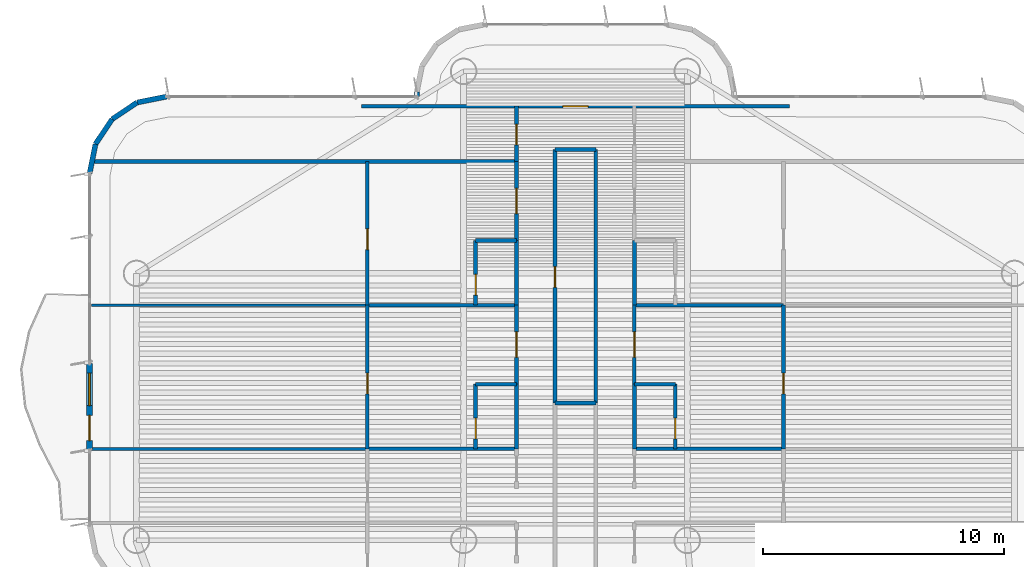
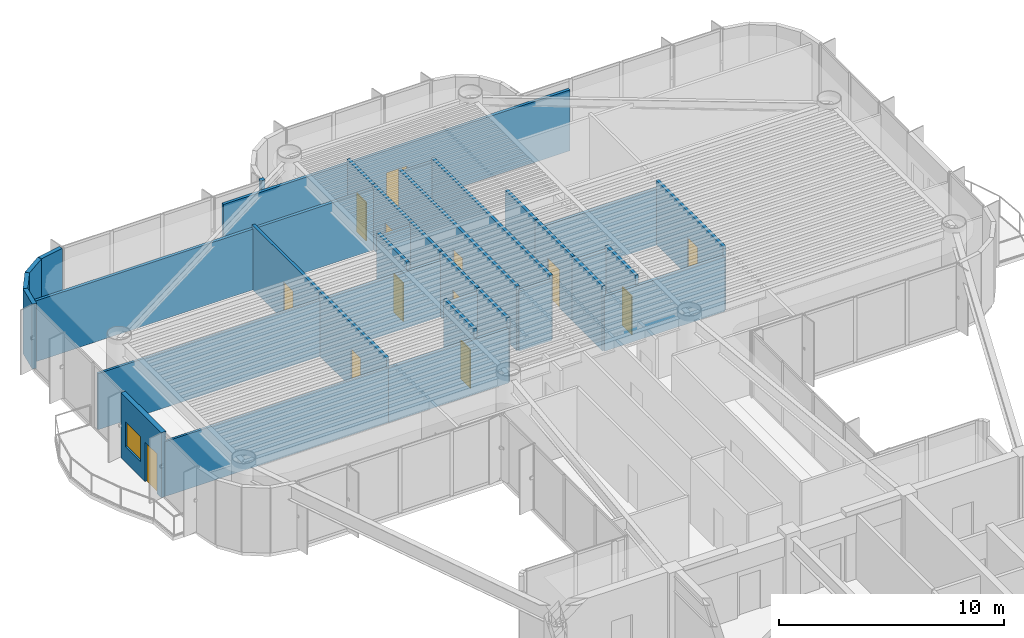
# One storey, part 11 of 15: 35 walls, 13 doors, 1 window, 14 openings.
"""IFC4 building model written with IfcOpenShell, lengths in metres."""

import ifcopenshell
import ifcopenshell.guid

model = None  # the IFC model being written
_history = None  # IfcOwnerHistory: only IFC2X3 demands one
_inside = {}  # id of a spatial element -> (the spatial element, [elements in it])
_under = {}  # id of a project, library or spatial element -> (it, [spatial elements below it])
_declared = {}  # id of a project -> (the project, [libraries it declares])
_typed = {}  # id of a type object -> (the type object, [elements of that type])
_made_of = {}  # id of a material, layer set ... -> (it, [elements and type objects made of it])


def new_model(schema):
    """Start an empty IFC model of exactly this schema.

    Asked for "IFC4X3", IfcOpenShell would pick the latest addendum, in which some entities
    have other attributes; the version numbers below select the first issue.
    IFC2X3 requires an IfcOwnerHistory on every rooted entity: one is made here for all.
    """
    global model, _history
    if schema == "IFC4X3":
        model = ifcopenshell.file(schema_version=(4, 3, 0, 0))
    else:
        model = ifcopenshell.file(schema=schema)
    _inside.clear()
    _under.clear()
    _declared.clear()
    _typed.clear()
    _made_of.clear()
    _history = None
    if model.schema == "IFC2X3":
        org = make("IfcOrganization", Name="unknown")
        user = make(
            "IfcPersonAndOrganization",
            ThePerson=make("IfcPerson", FamilyName="unknown"),
            TheOrganization=org,
        )
        app = make(
            "IfcApplication",
            ApplicationDeveloper=org,
            Version="unknown",
            ApplicationFullName="unknown",
            ApplicationIdentifier="unknown",
        )
        _history = make(
            "IfcOwnerHistory",
            OwningUser=user,
            OwningApplication=app,
            ChangeAction="ADDED",
            CreationDate=0,
        )
    return model


def make(cls, **values):
    """One entity of the class cls with the attributes given. An attribute that is None is left unset."""
    return model.create_entity(
        cls, **{name: value for name, value in values.items() if value is not None}
    )


def rooted(cls, **values):
    """An entity with a GlobalId (a new one), such as an element, a storey or a relation."""
    return make(cls, GlobalId=ifcopenshell.guid.new(), OwnerHistory=_history, **values)


def si_unit(unit_type, name, prefix=None):
    """IfcSIUnit, for example si_unit("LENGTHUNIT", "METRE", prefix="MILLI")."""
    return make("IfcSIUnit", UnitType=unit_type, Prefix=prefix, Name=name)


def assignment(units):
    """IfcUnitAssignment: the units of a project."""
    return None if units is None else make("IfcUnitAssignment", Units=units)


def point(xyz):
    """IfcCartesianPoint."""
    return None if xyz is None else make("IfcCartesianPoint", Coordinates=xyz)


def direction(xyz):
    """IfcDirection."""
    return None if xyz is None else make("IfcDirection", DirectionRatios=xyz)


def frame(location, z_axis=None, x_axis=None):
    """IfcAxis2Placement3D, a coordinate frame: its origin and axes. An axis left out is left unset."""
    return make(
        "IfcAxis2Placement3D",
        Location=point(location),
        Axis=direction(z_axis),
        RefDirection=direction(x_axis),
    )


def frame_2d(location, x_axis=None):
    """IfcAxis2Placement2D, a coordinate frame in the plane: its origin and x axis."""
    return make(
        "IfcAxis2Placement2D", Location=point(location), RefDirection=direction(x_axis)
    )


def origin():
    """The frame at (0, 0, 0) with its axes left unset."""
    return frame((0.0, 0.0, 0.0))


def origin_2d():
    """The frame at (0, 0) in the plane with its x axis left unset."""
    return frame_2d((0.0, 0.0))


def place(relative_to, where):
    """IfcLocalPlacement: puts the frame where relative to a parent placement (None: the world)."""
    return make(
        "IfcLocalPlacement", PlacementRelTo=relative_to, RelativePlacement=where
    )


def context(
    kind, dimensions, precision=None, world=None, true_north=None, identifier=None
):
    """IfcGeometricRepresentationContext, for example the 3D "Model" context."""
    return make(
        "IfcGeometricRepresentationContext",
        ContextIdentifier=identifier,
        ContextType=kind,
        CoordinateSpaceDimension=dimensions,
        Precision=precision,
        WorldCoordinateSystem=world,
        TrueNorth=true_north,
    )


def subcontext(parent, identifier, kind, view, scale=None):
    """IfcGeometricRepresentationSubContext, for example "Body" below "Model"."""
    return make(
        "IfcGeometricRepresentationSubContext",
        ContextIdentifier=identifier,
        ContextType=kind,
        ParentContext=parent,
        TargetScale=scale,
        TargetView=view,
    )


def project(units=None, contexts=None):
    """IfcProject with its units and contexts."""
    return rooted(
        "IfcProject",
        Name="project",
        RepresentationContexts=contexts,
        UnitsInContext=assignment(units),
    )


def spatial(cls, under=None, at=None, **own):
    """A site, building, storey or space (cls), placed at a placement, below another one or the project."""
    s = rooted(cls, ObjectPlacement=at, **own)
    if under is not None:
        _under.setdefault(under.id(), (under, []))[1].append(s)
    return s


def profile(cls, at=None, kind="AREA", **sizes):
    """A parametric profile (cls). Its sizes go by their IFC names, for example OverallWidth=200.0."""
    return make(cls, ProfileType=kind, Position=at, **sizes)


def rectangle(**sizes):
    """IfcRectangleProfileDef."""
    return profile("IfcRectangleProfileDef", **sizes)


def extrude(swept, where, along, depth):
    """IfcExtrudedAreaSolid: the profile swept, set in the frame where, extruded along a direction by depth."""
    return make(
        "IfcExtrudedAreaSolid",
        SweptArea=swept,
        Position=where,
        ExtrudedDirection=direction(along),
        Depth=depth,
    )


def shape(context_of_items, identifier, shape_type, items):
    """IfcShapeRepresentation: the items that make up one representation, for example the "Body"."""
    return make(
        "IfcShapeRepresentation",
        ContextOfItems=context_of_items,
        RepresentationIdentifier=identifier,
        RepresentationType=shape_type,
        Items=items,
    )


def source(mapping_origin, context_of_items, identifier, shape_type, items):
    """IfcRepresentationMap: a shape defined once, which mapped items show again and again."""
    return make(
        "IfcRepresentationMap",
        MappingOrigin=mapping_origin,
        MappedRepresentation=shape(context_of_items, identifier, shape_type, items),
    )


def transform(
    local_origin,
    x_axis=None,
    y_axis=None,
    z_axis=None,
    scale=None,
    scale2=None,
    scale3=None,
    uniform=True,
):
    """IfcCartesianTransformationOperator3D, or its non-uniform kind. x_axis, y_axis, z_axis: its Axis1, 2, 3."""
    if uniform:
        return make(
            "IfcCartesianTransformationOperator3D",
            Axis1=direction(x_axis),
            Axis2=direction(y_axis),
            LocalOrigin=point(local_origin),
            Scale=scale,
            Axis3=direction(z_axis),
        )
    return make(
        "IfcCartesianTransformationOperator3DnonUniform",
        Axis1=direction(x_axis),
        Axis2=direction(y_axis),
        LocalOrigin=point(local_origin),
        Scale=scale,
        Axis3=direction(z_axis),
        Scale2=scale2,
        Scale3=scale3,
    )


def mapped(mapping_source, mapping_target):
    """IfcMappedItem: shows the shape of a source again, moved by a transform."""
    return make(
        "IfcMappedItem", MappingSource=mapping_source, MappingTarget=mapping_target
    )


def material(Name=None, Category=None):
    """IfcMaterial."""
    return make("IfcMaterial", Name=Name, Category=Category)


def layer(
    of_material, thickness, ventilated=None, Name=None, Category=None, Priority=None
):
    """IfcMaterialLayer: one layer of a wall or slab, of a material (None: an air gap)."""
    return make(
        "IfcMaterialLayer",
        Material=of_material,
        LayerThickness=thickness,
        IsVentilated=ventilated,
        Name=Name,
        Category=Category,
        Priority=Priority,
    )


def layer_set(layers, Name=None):
    """IfcMaterialLayerSet."""
    return make("IfcMaterialLayerSet", MaterialLayers=layers, LayerSetName=Name)


def made_of(thing, what):
    """Note that an element or type object is made of a material, layer set ...; save() writes the relation."""
    if what is not None:
        _made_of.setdefault(what.id(), (what, []))[1].append(thing)
    return thing


def type_object(cls, material=None, **own):
    """A type object (cls), such as IfcWallType, which elements share."""
    return made_of(rooted(cls, **own), material)


def element(
    cls,
    number,
    at=None,
    inside=None,
    cuts=None,
    type_object=None,
    material=None,
    context=None,
    identifier="Body",
    shape_type=None,
    held_by="IfcProductDefinitionShape",
    body=None,
    shapes=None,
    **own,
):
    """One element of the class cls, such as IfcWall. Its Tag is "e" and its number.

    at: its placement. inside: the storey or other place that contains it. cuts: it is an
    opening in that element (IfcRelVoidsElement). A single representation is given by context,
    identifier, shape_type and body (its items); several are given by shapes. held_by: the class
    of the entity that holds the representations. save() writes the other relations.
    """
    e = rooted(cls, Tag="e%d" % number, ObjectPlacement=at, **own)
    if body is not None:
        shapes = [shape(context, identifier, shape_type, body)]
    if shapes is not None:
        e.Representation = make(held_by, Representations=shapes)
    if inside is not None:
        _inside.setdefault(inside.id(), (inside, []))[1].append(e)
    if cuts is not None:
        rooted(
            "IfcRelVoidsElement", RelatingBuildingElement=cuts, RelatedOpeningElement=e
        )
    if type_object is not None:
        _typed.setdefault(type_object.id(), (type_object, []))[1].append(e)
    return made_of(e, material)


def fill(opening, filler):
    """IfcRelFillsElement: the door or window that sits in an opening."""
    return rooted(
        "IfcRelFillsElement",
        RelatingOpeningElement=opening,
        RelatedBuildingElement=filler,
    )


def aggregate(whole, parts):
    """IfcRelAggregates: a whole, such as a stair, and the parts it consists of."""
    return rooted("IfcRelAggregates", RelatingObject=whole, RelatedObjects=parts)


def save(model, path):
    """Write the relations noted so far, then the file.

    IfcRelAggregates (storeys below a building ...), IfcRelContainedInSpatialStructure (elements
    in a storey), IfcRelDefinesByType, IfcRelAssociatesMaterial and IfcRelDeclares: one each for
    every whole, place, type object, material and project.
    """
    for whole, parts in _under.values():
        aggregate(whole, parts)
    for where, things in _inside.values():
        rooted(
            "IfcRelContainedInSpatialStructure",
            RelatedElements=things,
            RelatingStructure=where,
        )
    for kind, things in _typed.values():
        rooted("IfcRelDefinesByType", RelatedObjects=things, RelatingType=kind)
    for what, things in _made_of.values():
        rooted("IfcRelAssociatesMaterial", RelatedObjects=things, RelatingMaterial=what)
    for by, libraries in _declared.values():
        rooted("IfcRelDeclares", RelatingContext=by, RelatedDefinitions=libraries)
    model.write(path)


model = new_model("IFC4")

# Units and contexts
model_context = context("Model", 3, precision=1e-05, world=origin(), true_north=direction((0.0, 1.0)))
body_context = subcontext(model_context, "Body", "Model", "MODEL_VIEW")
ifc_project = project(units=[si_unit("LENGTHUNIT", "METRE"), si_unit("AREAUNIT", "SQUARE_METRE"), si_unit("VOLUMEUNIT", "CUBIC_METRE"), si_unit("PLANEANGLEUNIT", "RADIAN"), si_unit("MASSUNIT", "GRAM", prefix="KILO")], contexts=[model_context])

# Site, building, storey
site_placement = place(None, origin())
site = spatial("IfcSite", under=ifc_project, at=site_placement, CompositionType="ELEMENT")
building_placement = place(site_placement, origin())
building = spatial("IfcBuilding", under=site, at=building_placement, Name="Brelvock Crest Care Tower", CompositionType="ELEMENT")
storey_placement = place(building_placement, frame((0.0, 0.0, 171.5400390625)))
storey = spatial("IfcBuildingStorey", under=building, at=storey_placement, Name="L43", CompositionType="ELEMENT", Elevation=171.5400390625)

# Wall, openings, door, window
ifc_material_1 = material(Name="Precast concrete N40 (40 MPa)", Category="concrete")
ifc_layer_1 = layer(ifc_material_1, 0.239990234375, Name="WL-EX1")
ifc_layer_set_1 = layer_set([ifc_layer_1], Name="Precast concrete N40 (40 MPa)")
wall_type_1 = type_object("IfcWallType", Name="WL-EX1", PredefinedType="SOLIDWALL", material=ifc_layer_set_1)
wall_1_placement = place(storey_placement, frame((15.800048828125, 38.699951171875, 0.0), z_axis=(0.0, 0.0, 1.0), x_axis=(0.0, 1.0, 0.0)))
wall_1 = element("IfcWall", 1, at=wall_1_placement, inside=storey, type_object=wall_type_1, Name="L43 Exterior Spandrel Wall WL-BAL-L43-W", PredefinedType="SOLIDWALL", context=body_context, shape_type="SweptSolid", body=[
    extrude(rectangle(XDim=3.60009765625, YDim=0.239990234375, at=frame_2d((1.800048828125, 0.0))), origin(), (0.0, 0.0, 1.0), 3.530029296875),
])
opening_1_placement = place(wall_1_placement, frame((0.39990234375, 0.0, 0.0)))
opening_1 = element("IfcOpeningElement", 2, at=opening_1_placement, cuts=wall_1, Name="Opening BD-1", PredefinedType="OPENING", context=body_context, shape_type="SweptSolid", body=[
    extrude(rectangle(XDim=1.050048828125, YDim=2.14990234375, at=origin_2d()), frame((0.52490234375, 0.1298828125, 1.074951171875), z_axis=(0.0, -1.0, 0.0), x_axis=(1.0, 0.0, 0.0)), (0.0, 0.0, 1.0), 0.260009765625),
])
opening_2_placement = place(wall_1_placement, frame((1.85009765625, 0.0, 0.85009765625)))
opening_2 = element("IfcOpeningElement", 3, at=opening_2_placement, cuts=wall_1, Name="Opening W-01", PredefinedType="OPENING", context=body_context, shape_type="SweptSolid", body=[
    extrude(rectangle(XDim=1.35009765625, YDim=1.35009765625, at=origin_2d()), frame((0.675048828125, 0.1298828125, 0.675048828125), z_axis=(0.0, -1.0, 0.0), x_axis=(1.0, 0.0, 0.0)), (0.0, 0.0, 1.0), 0.260009765625),
])
ifc_material_2 = material(Name="Dark Glass Double Glazed Low-E", Category="glass")
door_type_1 = type_object("IfcDoorType", Name="DR-BAL1", OperationType="NOTDEFINED", PredefinedType="DOOR", material=ifc_material_2)
shared_shape_1 = source(origin(), body_context, "Body", "SweptSolid", [
    extrude(rectangle(XDim=1.050048828125, YDim=2.14990234375, at=origin_2d()), frame((0.52490234375, 0.02490234375, 1.074951171875), z_axis=(0.0, -1.0, 0.0), x_axis=(1.0, 0.0, 0.0)), (0.0, 0.0, 1.0), 0.050048828125),
])
door_1_placement = place(opening_1_placement, origin())
door_1 = element("IfcDoor", 4, at=door_1_placement, inside=storey, type_object=door_type_1, Name="L43 W Wave Balcony Glazed Door", OperationType="SINGLE_SWING_LEFT", OverallHeight=2.14990234375, OverallWidth=1.050048828125, PredefinedType="DOOR", context=body_context, shape_type="MappedRepresentation", body=[
    mapped(shared_shape_1, transform((0.0, 0.0, 0.0), x_axis=(1.0, 0.0, 0.0), y_axis=(0.0, 1.0, 0.0), z_axis=(0.0, 0.0, 1.0), scale=1.0)),
])
fill(opening_1, door_1)
window_type = type_object("IfcWindowType", Name="WN-EX1", PartitioningType="SINGLE_PANEL", PredefinedType="WINDOW", material=ifc_material_2)
shared_shape_2 = source(origin(), body_context, "Body", "SweptSolid", [
    extrude(rectangle(XDim=1.35009765625, YDim=1.35009765625, at=origin_2d()), frame((0.675048828125, 0.030029296875, 0.675048828125), z_axis=(0.0, -1.0, 0.0), x_axis=(1.0, 0.0, 0.0)), (0.0, 0.0, 1.0), 0.06005859375),
])
window_placement = place(opening_2_placement, origin())
window = element("IfcWindow", 5, at=window_placement, inside=storey, type_object=window_type, Name="L43 W Suite Casement Window", OverallHeight=1.35009765625, OverallWidth=1.35009765625, PartitioningType="SINGLE_PANEL", PredefinedType="WINDOW", context=body_context, shape_type="MappedRepresentation", body=[
    mapped(shared_shape_2, transform((0.0, 0.0, 0.0), x_axis=(1.0, 0.0, 0.0), y_axis=(0.0, 1.0, 0.0), z_axis=(0.0, 0.0, 1.0), scale=1.0)),
])
fill(opening_2, window)

# Walls
ifc_layer_2 = layer(ifc_material_1, 0.215087890625, Name="WL-EX2")
ifc_layer_set_2 = layer_set([ifc_layer_2], Name="Precast concrete N40 (40 MPa)")
wall_type_2 = type_object("IfcWallType", Name="WL-EX2", PredefinedType="SOLIDWALL", material=ifc_layer_set_2)
for number, where, z_axis, x_axis, name in (
    (6, (15.800048828125, 50.199951171875, 0.0), (0.0, 0.0, 1.0), (0.195138390419, 0.980775717779, 0.0), "L43 Rounded Corner Wall 18"),
    (7, (16.043701171875, 51.424560546875, 0.0), (0.0, 0.0, 1.0), (0.555557312883, 0.831478245117, 0.0), "L43 Rounded Corner Wall 19"),
    (8, (16.7373046875, 52.462646484375, 0.0), (0.0, 0.0, 1.0), (0.831387912822, 0.555692485475, 0.0), "L43 Rounded Corner Wall 20"),
    (9, (17.775390625, 53.156494140625, 0.0), (0.0, 0.0, 1.0), (0.980813122964, 0.194950295773, 0.0), "L43 Rounded Corner Wall 21"),
):
    element("IfcWall", number, at=place(storey_placement, frame(where, z_axis=z_axis, x_axis=x_axis)), inside=storey, type_object=wall_type_2, Name=name, PredefinedType="SOLIDWALL", context=body_context, shape_type="SweptSolid", body=[
        extrude(rectangle(XDim=1.24853515625, YDim=0.215087890625, at=frame_2d((0.624267578125, 0.0))), origin(), (0.0, 0.0, 1.0), 3.530029296875),
    ])
wall_2_placement = place(storey_placement, frame((29.39990234375, 53.39990234375, 0.0), z_axis=(0.0, 0.0, 1.0), x_axis=(0.0, 1.0, 0.0)))
element("IfcWall", 10, at=wall_2_placement, inside=storey, type_object=wall_type_2, Name="L43 Rounded Corner Wall 23", PredefinedType="SOLIDWALL", context=body_context, shape_type="SweptSolid", body=[
    extrude(rectangle(XDim=0.2001953125, YDim=0.215087890625, at=frame_2d((0.10009765625, 0.0))), origin(), (0.0, 0.0, 1.0), 3.530029296875),
])
ifc_material_3 = material(Name="Masonry Blockwork Acoustic Partition", Category="masonry")
ifc_layer_3 = layer(ifc_material_3, 0.14990234375, Name="WL-INT1")
ifc_layer_set_3 = layer_set([ifc_layer_3], Name="Masonry Blockwork Acoustic Partition")
wall_type_3 = type_object("IfcWallType", Name="WL-INT1", PredefinedType="PARTITIONING", material=ifc_layer_set_3)
for number, where, z_axis, x_axis, name in (
    (11, (27.35009765625, 38.75390625, 0.0), (0.0, 0.0, 1.0), (1.0, 0.0, 0.0), "L43 Interior Wall WL-BX-L43-CS-WS1B-N"),
    (12, (38.449951171875, 38.75390625, 0.0), (0.0, 0.0, 1.0), (1.0, 0.0, 0.0), "L43 Interior Wall WL-BX-L43-CS-ES1B-N"),
):
    element("IfcWall", number, at=place(storey_placement, frame(where, z_axis=z_axis, x_axis=x_axis)), inside=storey, type_object=wall_type_3, Name=name, PredefinedType="PARTITIONING", context=body_context, shape_type="SweptSolid", body=[
        extrude(rectangle(XDim=6.199951171875, YDim=0.14990234375, at=frame_2d((3.10009765625, 0.0))), origin(), (0.0, 0.0, 1.0), 2.98193359375),
    ])
wall_3_placement = place(storey_placement, frame((35.14990234375, 40.659912109375, 0.0), z_axis=(0.0, 0.0, 1.0), x_axis=(1.0, 0.0, 0.0)))
element("IfcWall", 13, at=wall_3_placement, inside=storey, type_object=wall_type_3, Name="L43 Interior Wall WL-BX-L43-ISKT-S", PredefinedType="PARTITIONING", context=body_context, shape_type="SweptSolid", body=[
    extrude(rectangle(XDim=1.7001953125, YDim=0.14990234375, at=frame_2d((0.85009765625, 0.0))), origin(), (0.0, 0.0, 1.0), 3.259033203125),
])
for number, where, z_axis, x_axis, name in (
    (14, (27.35009765625, 44.72705078125, 0.0), (0.0, 0.0, 1.0), (1.0, 0.0, 0.0), "L43 Interior Wall WL-BX-L43-CS-WS2-N"),
    (15, (38.449951171875, 44.72705078125, 0.0), (0.0, 0.0, 1.0), (1.0, 0.0, 0.0), "L43 Interior Wall WL-BX-L43-CS-ES2-N"),
):
    element("IfcWall", number, at=place(storey_placement, frame(where, z_axis=z_axis, x_axis=x_axis)), inside=storey, type_object=wall_type_3, Name=name, PredefinedType="PARTITIONING", context=body_context, shape_type="SweptSolid", body=[
        extrude(rectangle(XDim=6.199951171875, YDim=0.14990234375, at=frame_2d((3.10009765625, 0.0))), origin(), (0.0, 0.0, 1.0), 3.054931640625),
    ])
wall_4_placement = place(storey_placement, frame((15.98095703125, 50.699951171875, 0.0), z_axis=(0.0, 0.0, 1.0), x_axis=(1.0, 0.0, 0.0)))
element("IfcWall", 16, at=wall_4_placement, inside=storey, type_object=wall_type_3, Name="L43 Interior Wall WL-BX-L43-NALW-S", PredefinedType="PARTITIONING", context=body_context, shape_type="SweptSolid", body=[
    extrude(rectangle(XDim=17.569091796875, YDim=0.14990234375, at=frame_2d((8.78466796875, 0.0))), origin(), (0.0, 0.0, 1.0), 3.307861328125),
])
wall_5_placement = place(storey_placement, frame((35.14990234375, 51.199951171875, 0.0), z_axis=(0.0, 0.0, 1.0), x_axis=(1.0, 0.0, 0.0)))
element("IfcWall", 17, at=wall_5_placement, inside=storey, type_object=wall_type_3, Name="L43 Interior Wall WL-BX-L43-ISKT-N", PredefinedType="PARTITIONING", context=body_context, shape_type="SweptSolid", body=[
    extrude(rectangle(XDim=1.7001953125, YDim=0.14990234375, at=frame_2d((0.85009765625, 0.0))), origin(), (0.0, 0.0, 1.0), 3.307861328125),
])

# Wall, opening, door
wall_6_placement = place(storey_placement, frame((27.10009765625, 53.0, 0.0), z_axis=(0.0, 0.0, 1.0), x_axis=(1.0, 0.0, 0.0)))
wall_6 = element("IfcWall", 18, at=wall_6_placement, inside=storey, type_object=wall_type_3, Name="L43 Interior Wall WL-RM-L43-NHUB", PredefinedType="PARTITIONING", context=body_context, shape_type="SweptSolid", body=[
    extrude(rectangle(XDim=17.7998046875, YDim=0.14990234375, at=frame_2d((8.89990234375, 0.0))), origin(), (0.0, 0.0, 1.0), 3.307861328125),
])
opening_3_placement = place(wall_6_placement, frame((8.375, 0.0, 0.0)))
opening_3 = element("IfcOpeningElement", 19, at=opening_3_placement, cuts=wall_6, Name="Opening CLD-1", PredefinedType="OPENING", context=body_context, shape_type="SweptSolid", body=[
    extrude(rectangle(XDim=1.050048828125, YDim=2.10009765625, at=origin_2d()), frame((0.52490234375, 0.0849609375, 1.050048828125), z_axis=(0.0, -1.0, 0.0), x_axis=(1.0, 0.0, 0.0)), (0.0, 0.0, 1.0), 0.169921875),
])
ifc_material_4 = material(Name="Engineered Hardwood Timber", Category="wood")
door_type_2 = type_object("IfcDoorType", Name="DR-CLN1", OperationType="NOTDEFINED", PredefinedType="DOOR", material=ifc_material_4)
shared_shape_3 = source(origin(), body_context, "Body", "SweptSolid", [
    extrude(rectangle(XDim=1.050048828125, YDim=2.10009765625, at=origin_2d()), frame((0.52490234375, 0.02490234375, 1.050048828125), z_axis=(0.0, -1.0, 0.0), x_axis=(1.0, 0.0, 0.0)), (0.0, 0.0, 1.0), 0.050048828125),
])
door_2_placement = place(opening_3_placement, origin())
door_2 = element("IfcDoor", 20, at=door_2_placement, inside=storey, type_object=door_type_2, Name="L43 Harbour Lookout Dining Salon Door NHUB", OperationType="SINGLE_SWING_LEFT", OverallHeight=2.10009765625, OverallWidth=1.050048828125, PredefinedType="DOOR", context=body_context, shape_type="MappedRepresentation", body=[
    mapped(shared_shape_3, transform((0.0, 0.0, 0.0), x_axis=(1.0, 0.0, 0.0), y_axis=(0.0, 1.0, 0.0), z_axis=(0.0, 0.0, 1.0), scale=1.0)),
])
fill(opening_3, door_2)

wall_7_placement = place(storey_placement, frame((27.35009765625, 38.75390625, 0.0), z_axis=(0.0, 0.0, 1.0), x_axis=(0.0, 1.0, 0.0)))
wall_7 = element("IfcWall", 21, at=wall_7_placement, inside=storey, type_object=wall_type_3, Name="L43 Interior Wall WL-RM-L43-WS2S", PredefinedType="PARTITIONING", context=body_context, shape_type="SweptSolid", body=[
    extrude(rectangle(XDim=5.97314453125, YDim=0.14990234375, at=frame_2d((2.986572265625, 0.0))), origin(), (0.0, 0.0, 1.0), 3.5),
])
opening_4_placement = place(wall_7_placement, frame((2.285888671875, 0.0, 0.0)))
opening_4 = element("IfcOpeningElement", 22, at=opening_4_placement, cuts=wall_7, Name="Opening ID-1", PredefinedType="OPENING", context=body_context, shape_type="SweptSolid", body=[
    extrude(rectangle(XDim=0.860107421875, YDim=2.10009765625, at=origin_2d()), frame((0.43017578125, 0.0849609375, 1.050048828125), z_axis=(0.0, -1.0, 0.0), x_axis=(1.0, 0.0, 0.0)), (0.0, 0.0, 1.0), 0.169921875),
])
door_type_3 = type_object("IfcDoorType", Name="DR-INT1", OperationType="NOTDEFINED", PredefinedType="DOOR", material=ifc_material_4)
shared_shape_4 = source(origin(), body_context, "Body", "SweptSolid", [
    extrude(rectangle(XDim=0.860107421875, YDim=2.10009765625, at=origin_2d()), frame((0.43017578125, 0.02490234375, 1.050048828125), z_axis=(0.0, -1.0, 0.0), x_axis=(1.0, 0.0, 0.0)), (0.0, 0.0, 1.0), 0.050048828125),
])
door_3_placement = place(opening_4_placement, origin())
door_3 = element("IfcDoor", 23, at=door_3_placement, inside=storey, type_object=door_type_3, Name="L43 Assisted Care Mobility Store Door WS2S", OperationType="SINGLE_SWING_LEFT", OverallHeight=2.10009765625, OverallWidth=0.860107421875, PredefinedType="DOOR", context=body_context, shape_type="MappedRepresentation", body=[
    mapped(shared_shape_4, transform((0.0, 0.0, 0.0), x_axis=(1.0, 0.0, 0.0), y_axis=(0.0, 1.0, 0.0), z_axis=(0.0, 0.0, 1.0), scale=1.0)),
])
fill(opening_4, door_3)

wall_8_placement = place(storey_placement, frame((27.35009765625, 44.72705078125, 0.0), z_axis=(0.0, 0.0, 1.0), x_axis=(0.0, 1.0, 0.0)))
wall_8 = element("IfcWall", 24, at=wall_8_placement, inside=storey, type_object=wall_type_3, Name="L43 Interior Wall WL-RM-L43-WS3S", PredefinedType="PARTITIONING", context=body_context, shape_type="SweptSolid", body=[
    extrude(rectangle(XDim=5.972900390625, YDim=0.14990234375, at=frame_2d((2.986328125, 0.0))), origin(), (0.0, 0.0, 1.0), 3.5),
])
opening_5_placement = place(wall_8_placement, frame((2.31298828125, 0.0, 0.0)))
opening_5 = element("IfcOpeningElement", 25, at=opening_5_placement, cuts=wall_8, Name="Opening ID-1", PredefinedType="OPENING", context=body_context, shape_type="SweptSolid", body=[
    extrude(rectangle(XDim=0.860107421875, YDim=2.10009765625, at=origin_2d()), frame((0.43017578125, 0.0849609375, 1.050048828125), z_axis=(0.0, -1.0, 0.0), x_axis=(1.0, 0.0, 0.0)), (0.0, 0.0, 1.0), 0.169921875),
])
door_4_placement = place(opening_5_placement, origin())
door_4 = element("IfcDoor", 26, at=door_4_placement, inside=storey, type_object=door_type_3, Name="L43 Assisted Care Mobility Store Door WS3S", OperationType="SINGLE_SWING_LEFT", OverallHeight=2.10009765625, OverallWidth=0.860107421875, PredefinedType="DOOR", context=body_context, shape_type="MappedRepresentation", body=[
    mapped(shared_shape_4, transform((0.0, 0.0, 0.0), x_axis=(1.0, 0.0, 0.0), y_axis=(0.0, 1.0, 0.0), z_axis=(0.0, 0.0, 1.0), scale=1.0)),
])
fill(opening_5, door_4)

wall_9_placement = place(storey_placement, frame((33.550048828125, 41.44189453125, 0.0), z_axis=(0.0, 0.0, 1.0), x_axis=(0.0, 1.0, 0.0)))
wall_9 = element("IfcWall", 27, at=wall_9_placement, inside=storey, type_object=wall_type_3, Name="L43 Interior Wall WL-CENT-L43-WS2", PredefinedType="PARTITIONING", context=body_context, shape_type="SweptSolid", body=[
    extrude(rectangle(XDim=3.28515625, YDim=0.14990234375, at=frame_2d((1.642578125, 0.0))), origin(), (0.0, 0.0, 1.0), 3.5),
])
opening_6_placement = place(wall_9_placement, frame((1.1220703125, 0.0, 0.0)))
opening_6 = element("IfcOpeningElement", 28, at=opening_6_placement, cuts=wall_9, Name="Opening CD-1", PredefinedType="OPENING", context=body_context, shape_type="SweptSolid", body=[
    extrude(rectangle(XDim=1.050048828125, YDim=2.10009765625, at=origin_2d()), frame((0.52490234375, 0.0849609375, 1.050048828125), z_axis=(0.0, -1.0, 0.0), x_axis=(1.0, 0.0, 0.0)), (0.0, 0.0, 1.0), 0.169921875),
])
door_type_4 = type_object("IfcDoorType", Name="DR-CARE1", OperationType="NOTDEFINED", PredefinedType="DOOR", material=ifc_material_4)
shared_shape_5 = source(origin(), body_context, "Body", "SweptSolid", [
    extrude(rectangle(XDim=1.050048828125, YDim=2.10009765625, at=origin_2d()), frame((0.52490234375, 0.02490234375, 1.050048828125), z_axis=(0.0, -1.0, 0.0), x_axis=(1.0, 0.0, 0.0)), (0.0, 0.0, 1.0), 0.050048828125),
])
door_5_placement = place(opening_6_placement, origin())
door_5 = element("IfcDoor", 29, at=door_5_placement, inside=storey, type_object=door_type_4, Name="L43 Care Suite Door WS2", OperationType="SINGLE_SWING_LEFT", OverallHeight=2.10009765625, OverallWidth=1.050048828125, PredefinedType="DOOR", context=body_context, shape_type="MappedRepresentation", body=[
    mapped(shared_shape_5, transform((0.0, 0.0, 0.0), x_axis=(1.0, 0.0, 0.0), y_axis=(0.0, 1.0, 0.0), z_axis=(0.0, 0.0, 1.0), scale=1.0)),
])
fill(opening_6, door_5)

wall_10_placement = place(storey_placement, frame((33.550048828125, 47.4150390625, 0.0), z_axis=(0.0, 0.0, 1.0), x_axis=(0.0, 1.0, 0.0)))
wall_10 = element("IfcWall", 30, at=wall_10_placement, inside=storey, type_object=wall_type_3, Name="L43 Interior Wall WL-CENT-L43-WS3", PredefinedType="PARTITIONING", context=body_context, shape_type="SweptSolid", body=[
    extrude(rectangle(XDim=3.284912109375, YDim=0.14990234375, at=frame_2d((1.642578125, 0.0))), origin(), (0.0, 0.0, 1.0), 3.5),
])
opening_7_placement = place(wall_10_placement, frame((1.123046875, 0.0, 0.0)))
opening_7 = element("IfcOpeningElement", 31, at=opening_7_placement, cuts=wall_10, Name="Opening CD-1", PredefinedType="OPENING", context=body_context, shape_type="SweptSolid", body=[
    extrude(rectangle(XDim=1.050048828125, YDim=2.10009765625, at=origin_2d()), frame((0.52490234375, 0.0849609375, 1.050048828125), z_axis=(0.0, -1.0, 0.0), x_axis=(1.0, 0.0, 0.0)), (0.0, 0.0, 1.0), 0.169921875),
])
door_6_placement = place(opening_7_placement, origin())
door_6 = element("IfcDoor", 32, at=door_6_placement, inside=storey, type_object=door_type_4, Name="L43 Care Suite Door WS3", OperationType="SINGLE_SWING_LEFT", OverallHeight=2.10009765625, OverallWidth=1.050048828125, PredefinedType="DOOR", context=body_context, shape_type="MappedRepresentation", body=[
    mapped(shared_shape_5, transform((0.0, 0.0, 0.0), x_axis=(1.0, 0.0, 0.0), y_axis=(0.0, 1.0, 0.0), z_axis=(0.0, 0.0, 1.0), scale=1.0)),
])
fill(opening_7, door_6)

wall_11_placement = place(storey_placement, frame((33.550048828125, 50.699951171875, 0.0), z_axis=(0.0, 0.0, 1.0), x_axis=(0.0, 1.0, 0.0)))
wall_11 = element("IfcWall", 33, at=wall_11_placement, inside=storey, type_object=wall_type_3, Name="L43 Interior Wall WL-RM-L43-NALW", PredefinedType="PARTITIONING", context=body_context, shape_type="SweptSolid", body=[
    extrude(rectangle(XDim=2.300048828125, YDim=0.14990234375, at=frame_2d((1.14990234375, 0.0))), origin(), (0.0, 0.0, 1.0), 3.5),
])
opening_8_placement = place(wall_11_placement, frame((0.68994140625, 0.0, 0.0)))
opening_8 = element("IfcOpeningElement", 34, at=opening_8_placement, cuts=wall_11, Name="Opening ID-1", PredefinedType="OPENING", context=body_context, shape_type="SweptSolid", body=[
    extrude(rectangle(XDim=0.860107421875, YDim=2.10009765625, at=origin_2d()), frame((0.43017578125, 0.0849609375, 1.050048828125), z_axis=(0.0, -1.0, 0.0), x_axis=(1.0, 0.0, 0.0)), (0.0, 0.0, 1.0), 0.169921875),
])
door_7_placement = place(opening_8_placement, origin())
door_7 = element("IfcDoor", 35, at=door_7_placement, inside=storey, type_object=door_type_3, Name="L43 North West Sun Alcove Door NALW", OperationType="SINGLE_SWING_LEFT", OverallHeight=2.10009765625, OverallWidth=0.860107421875, PredefinedType="DOOR", context=body_context, shape_type="MappedRepresentation", body=[
    mapped(shared_shape_4, transform((0.0, 0.0, 0.0), x_axis=(1.0, 0.0, 0.0), y_axis=(0.0, 1.0, 0.0), z_axis=(0.0, 0.0, 1.0), scale=1.0)),
])
fill(opening_8, door_7)

wall_12_placement = place(storey_placement, frame((35.14990234375, 40.659912109375, 0.0), z_axis=(0.0, 0.0, 1.0), x_axis=(0.0, 1.0, 0.0)))
wall_12 = element("IfcWall", 36, at=wall_12_placement, inside=storey, type_object=wall_type_3, Name="L43 Interior Wall WL-RM-L43-ISKT", PredefinedType="PARTITIONING", context=body_context, shape_type="SweptSolid", body=[
    extrude(rectangle(XDim=10.5400390625, YDim=0.14990234375, at=frame_2d((5.27001953125, 0.0))), origin(), (0.0, 0.0, 1.0), 3.5),
])
opening_9_placement = place(wall_12_placement, frame((4.81005859375, 0.0, 0.0)))
opening_9 = element("IfcOpeningElement", 37, at=opening_9_placement, cuts=wall_12, Name="Opening ID-1", PredefinedType="OPENING", context=body_context, shape_type="SweptSolid", body=[
    extrude(rectangle(XDim=0.860107421875, YDim=2.10009765625, at=origin_2d()), frame((0.43017578125, 0.0849609375, 1.050048828125), z_axis=(0.0, -1.0, 0.0), x_axis=(1.0, 0.0, 0.0)), (0.0, 0.0, 1.0), 0.169921875),
])
door_8_placement = place(opening_9_placement, origin())
door_8 = element("IfcDoor", 38, at=door_8_placement, inside=storey, type_object=door_type_3, Name="L43 Communal Tea and Nutrition Pantry Door ISKT", OperationType="SINGLE_SWING_LEFT", OverallHeight=2.10009765625, OverallWidth=0.860107421875, PredefinedType="DOOR", context=body_context, shape_type="MappedRepresentation", body=[
    mapped(shared_shape_4, transform((0.0, 0.0, 0.0), x_axis=(1.0, 0.0, 0.0), y_axis=(0.0, 1.0, 0.0), z_axis=(0.0, 0.0, 1.0), scale=1.0)),
])
fill(opening_9, door_8)

# Wall
wall_13_placement = place(storey_placement, frame((36.85009765625, 40.659912109375, 0.0), z_axis=(0.0, 0.0, 1.0), x_axis=(0.0, 1.0, 0.0)))
element("IfcWall", 39, at=wall_13_placement, inside=storey, type_object=wall_type_3, Name="L43 Interior Wall WL-BX-L43-ISKT-E", PredefinedType="PARTITIONING", context=body_context, shape_type="SweptSolid", body=[
    extrude(rectangle(XDim=10.5400390625, YDim=0.14990234375, at=frame_2d((5.27001953125, 0.0))), origin(), (0.0, 0.0, 1.0), 3.5),
])

# Wall, opening, door
wall_14_placement = place(storey_placement, frame((38.449951171875, 41.44189453125, 0.0), z_axis=(0.0, 0.0, 1.0), x_axis=(0.0, 1.0, 0.0)))
wall_14 = element("IfcWall", 40, at=wall_14_placement, inside=storey, type_object=wall_type_3, Name="L43 Interior Wall WL-CENT-L43-ES2", PredefinedType="PARTITIONING", context=body_context, shape_type="SweptSolid", body=[
    extrude(rectangle(XDim=3.28515625, YDim=0.14990234375, at=frame_2d((1.642578125, 0.0))), origin(), (0.0, 0.0, 1.0), 3.5),
])
opening_10_placement = place(wall_14_placement, frame((1.1220703125, 0.0, 0.0)))
opening_10 = element("IfcOpeningElement", 41, at=opening_10_placement, cuts=wall_14, Name="Opening CD-1", PredefinedType="OPENING", context=body_context, shape_type="SweptSolid", body=[
    extrude(rectangle(XDim=1.050048828125, YDim=2.10009765625, at=origin_2d()), frame((0.52490234375, 0.0849609375, 1.050048828125), z_axis=(0.0, -1.0, 0.0), x_axis=(1.0, 0.0, 0.0)), (0.0, 0.0, 1.0), 0.169921875),
])
door_9_placement = place(opening_10_placement, origin())
door_9 = element("IfcDoor", 42, at=door_9_placement, inside=storey, type_object=door_type_4, Name="L43 Care Suite Door ES2", OperationType="SINGLE_SWING_LEFT", OverallHeight=2.10009765625, OverallWidth=1.050048828125, PredefinedType="DOOR", context=body_context, shape_type="MappedRepresentation", body=[
    mapped(shared_shape_5, transform((0.0, 0.0, 0.0), x_axis=(1.0, 0.0, 0.0), y_axis=(0.0, 1.0, 0.0), z_axis=(0.0, 0.0, 1.0), scale=1.0)),
])
fill(opening_10, door_9)

wall_15_placement = place(storey_placement, frame((44.64990234375, 38.75390625, 0.0), z_axis=(0.0, 0.0, 1.0), x_axis=(0.0, 1.0, 0.0)))
wall_15 = element("IfcWall", 43, at=wall_15_placement, inside=storey, type_object=wall_type_3, Name="L43 Interior Wall WL-RM-L43-ES2S", PredefinedType="PARTITIONING", context=body_context, shape_type="SweptSolid", body=[
    extrude(rectangle(XDim=5.97314453125, YDim=0.14990234375, at=frame_2d((2.986572265625, 0.0))), origin(), (0.0, 0.0, 1.0), 3.5),
])
opening_11_placement = place(wall_15_placement, frame((2.285888671875, 0.0, 0.0)))
opening_11 = element("IfcOpeningElement", 44, at=opening_11_placement, cuts=wall_15, Name="Opening ID-1", PredefinedType="OPENING", context=body_context, shape_type="SweptSolid", body=[
    extrude(rectangle(XDim=0.860107421875, YDim=2.10009765625, at=origin_2d()), frame((0.43017578125, 0.0849609375, 1.050048828125), z_axis=(0.0, -1.0, 0.0), x_axis=(1.0, 0.0, 0.0)), (0.0, 0.0, 1.0), 0.169921875),
])
door_10_placement = place(opening_11_placement, origin())
door_10 = element("IfcDoor", 45, at=door_10_placement, inside=storey, type_object=door_type_3, Name="L43 Assisted Care Mobility Store Door ES2S", OperationType="SINGLE_SWING_LEFT", OverallHeight=2.10009765625, OverallWidth=0.860107421875, PredefinedType="DOOR", context=body_context, shape_type="MappedRepresentation", body=[
    mapped(shared_shape_4, transform((0.0, 0.0, 0.0), x_axis=(1.0, 0.0, 0.0), y_axis=(0.0, 1.0, 0.0), z_axis=(0.0, 0.0, 1.0), scale=1.0)),
])
fill(opening_11, door_10)

# Walls
ifc_material_5 = material(Name="Gypsum Plasterboard Partition", Category="gypsum")
ifc_layer_4 = layer(ifc_material_5, 0.1201171875, Name="WL-INT2")
ifc_layer_set_4 = layer_set([ifc_layer_4], Name="Gypsum Plasterboard Partition")
wall_type_4 = type_object("IfcWallType", Name="WL-INT2", PredefinedType="PARTITIONING", material=ifc_layer_set_4)
wall_16_placement = place(storey_placement, frame((15.8798828125, 38.75390625, 0.0), z_axis=(0.0, 0.0, 1.0), x_axis=(1.0, 0.0, 0.0)))
element("IfcWall", 46, at=wall_16_placement, inside=storey, type_object=wall_type_4, Name="L43 Interior Wall WL-BX-L43-WS1BS-N", PredefinedType="PARTITIONING", context=body_context, shape_type="SweptSolid", body=[
    extrude(rectangle(XDim=11.47021484375, YDim=0.1201171875, at=frame_2d((5.735107421875, 0.0))), origin(), (0.0, 0.0, 1.0), 2.98193359375),
])
wall_17_placement = place(storey_placement, frame((15.8798828125, 44.72705078125, 0.0), z_axis=(0.0, 0.0, 1.0), x_axis=(1.0, 0.0, 0.0)))
element("IfcWall", 47, at=wall_17_placement, inside=storey, type_object=wall_type_4, Name="L43 Interior Wall WL-BX-L43-WS2S-N", PredefinedType="PARTITIONING", context=body_context, shape_type="SweptSolid", body=[
    extrude(rectangle(XDim=11.47021484375, YDim=0.1201171875, at=frame_2d((5.735107421875, 0.0))), origin(), (0.0, 0.0, 1.0), 3.054931640625),
])
ifc_layer_5 = layer(ifc_material_5, 0.159912109375, Name="WL-PLM1")
ifc_layer_set_5 = layer_set([ifc_layer_5], Name="Gypsum Plasterboard Partition")
wall_type_5 = type_object("IfcWallType", Name="WL-PLM1", PredefinedType="PLUMBINGWALL", material=ifc_layer_set_5)
for number, where, z_axis, x_axis, name in (
    (48, (31.85009765625, 41.44189453125, 0.0), (0.0, 0.0, 1.0), (1.0, 0.0, 0.0), "L43 Interior Wall WL-CENS2-L43-WS2"),
    (49, (38.449951171875, 41.44189453125, 0.0), (0.0, 0.0, 1.0), (1.0, 0.0, 0.0), "L43 Interior Wall WL-CENS2-L43-ES2"),
    (50, (31.85009765625, 47.4150390625, 0.0), (0.0, 0.0, 1.0), (1.0, 0.0, 0.0), "L43 Interior Wall WL-CENS2-L43-WS3"),
):
    element("IfcWall", number, at=place(storey_placement, frame(where, z_axis=z_axis, x_axis=x_axis)), inside=storey, type_object=wall_type_5, Name=name, PredefinedType="PLUMBINGWALL", context=body_context, shape_type="SweptSolid", body=[
        extrude(rectangle(XDim=1.699951171875, YDim=0.159912109375, at=frame_2d((0.85009765625, 0.0))), origin(), (0.0, 0.0, 1.0), 3.259033203125),
    ])

# Wall, opening, door
wall_18_placement = place(storey_placement, frame((31.85009765625, 38.75390625, 0.0), z_axis=(0.0, 0.0, 1.0), x_axis=(0.0, 1.0, 0.0)))
wall_18 = element("IfcWall", 51, at=wall_18_placement, inside=storey, type_object=wall_type_5, Name="L43 Interior Wall WL-CENS1-L43-WS2", PredefinedType="PLUMBINGWALL", context=body_context, shape_type="SweptSolid", body=[
    extrude(rectangle(XDim=2.68798828125, YDim=0.159912109375, at=frame_2d((1.343994140625, 0.0))), origin(), (0.0, 0.0, 1.0), 3.5),
])
opening_12_placement = place(wall_18_placement, frame((0.419921875, 0.0, 0.0)))
opening_12 = element("IfcOpeningElement", 52, at=opening_12_placement, cuts=wall_18, Name="Opening WD-1", PredefinedType="OPENING", context=body_context, shape_type="SweptSolid", body=[
    extrude(rectangle(XDim=0.860107421875, YDim=2.10009765625, at=origin_2d()), frame((0.43017578125, 0.08984375, 1.050048828125), z_axis=(0.0, -1.0, 0.0), x_axis=(1.0, 0.0, 0.0)), (0.0, 0.0, 1.0), 0.179931640625),
])
door_type_5 = type_object("IfcDoorType", Name="DR-WC1", OperationType="NOTDEFINED", PredefinedType="DOOR", material=ifc_material_4)
shared_shape_6 = source(origin(), body_context, "Body", "SweptSolid", [
    extrude(rectangle(XDim=0.860107421875, YDim=2.10009765625, at=origin_2d()), frame((0.43017578125, 0.02490234375, 1.050048828125), z_axis=(0.0, -1.0, 0.0), x_axis=(1.0, 0.0, 0.0)), (0.0, 0.0, 1.0), 0.050048828125),
])
door_11_placement = place(opening_12_placement, origin())
door_11 = element("IfcDoor", 53, at=door_11_placement, inside=storey, type_object=door_type_5, Name="L43 Care En-Suite Door WS2", OperationType="SINGLE_SWING_LEFT", OverallHeight=2.10009765625, OverallWidth=0.860107421875, PredefinedType="DOOR", context=body_context, shape_type="MappedRepresentation", body=[
    mapped(shared_shape_6, transform((0.0, 0.0, 0.0), x_axis=(1.0, 0.0, 0.0), y_axis=(0.0, 1.0, 0.0), z_axis=(0.0, 0.0, 1.0), scale=1.0)),
])
fill(opening_12, door_11)

wall_19_placement = place(storey_placement, frame((31.85009765625, 44.72705078125, 0.0), z_axis=(0.0, 0.0, 1.0), x_axis=(0.0, 1.0, 0.0)))
wall_19 = element("IfcWall", 54, at=wall_19_placement, inside=storey, type_object=wall_type_5, Name="L43 Interior Wall WL-CENS1-L43-WS3", PredefinedType="PLUMBINGWALL", context=body_context, shape_type="SweptSolid", body=[
    extrude(rectangle(XDim=2.68798828125, YDim=0.159912109375, at=frame_2d((1.343994140625, 0.0))), origin(), (0.0, 0.0, 1.0), 3.5),
])
opening_13_placement = place(wall_19_placement, frame((0.419921875, 0.0, 0.0)))
opening_13 = element("IfcOpeningElement", 55, at=opening_13_placement, cuts=wall_19, Name="Opening WD-1", PredefinedType="OPENING", context=body_context, shape_type="SweptSolid", body=[
    extrude(rectangle(XDim=0.860107421875, YDim=2.10009765625, at=origin_2d()), frame((0.43017578125, 0.08984375, 1.050048828125), z_axis=(0.0, -1.0, 0.0), x_axis=(1.0, 0.0, 0.0)), (0.0, 0.0, 1.0), 0.179931640625),
])
door_12_placement = place(opening_13_placement, origin())
door_12 = element("IfcDoor", 56, at=door_12_placement, inside=storey, type_object=door_type_5, Name="L43 Care En-Suite Door WS3", OperationType="SINGLE_SWING_LEFT", OverallHeight=2.10009765625, OverallWidth=0.860107421875, PredefinedType="DOOR", context=body_context, shape_type="MappedRepresentation", body=[
    mapped(shared_shape_6, transform((0.0, 0.0, 0.0), x_axis=(1.0, 0.0, 0.0), y_axis=(0.0, 1.0, 0.0), z_axis=(0.0, 0.0, 1.0), scale=1.0)),
])
fill(opening_13, door_12)

# Walls
for number, where, z_axis, x_axis, name in (
    (57, (33.550048828125, 38.75390625, 0.0), (0.0, 0.0, 1.0), (0.0, 1.0, 0.0), "L43 Interior Wall WL-CENS0-L43-WS2"),
    (58, (33.550048828125, 44.72705078125, 0.0), (0.0, 0.0, 1.0), (0.0, 1.0, 0.0), "L43 Interior Wall WL-CENS0-L43-WS3"),
    (59, (38.449951171875, 38.75390625, 0.0), (0.0, 0.0, 1.0), (0.0, 1.0, 0.0), "L43 Interior Wall WL-CENS0-L43-ES2"),
    (60, (38.449951171875, 44.72705078125, 0.0), (0.0, 0.0, 1.0), (0.0, 1.0, 0.0), "L43 Interior Wall WL-CENS0-L43-ES3"),
):
    element("IfcWall", number, at=place(storey_placement, frame(where, z_axis=z_axis, x_axis=x_axis)), inside=storey, type_object=wall_type_5, Name=name, PredefinedType="PLUMBINGWALL", context=body_context, shape_type="SweptSolid", body=[
        extrude(rectangle(XDim=2.68798828125, YDim=0.159912109375, at=frame_2d((1.343994140625, 0.0))), origin(), (0.0, 0.0, 1.0), 3.5),
    ])

# Wall, opening, door
wall_20_placement = place(storey_placement, frame((40.14990234375, 38.75390625, 0.0), z_axis=(0.0, 0.0, 1.0), x_axis=(0.0, 1.0, 0.0)))
wall_20 = element("IfcWall", 61, at=wall_20_placement, inside=storey, type_object=wall_type_5, Name="L43 Interior Wall WL-CENS1-L43-ES2", PredefinedType="PLUMBINGWALL", context=body_context, shape_type="SweptSolid", body=[
    extrude(rectangle(XDim=2.68798828125, YDim=0.159912109375, at=frame_2d((1.343994140625, 0.0))), origin(), (0.0, 0.0, 1.0), 3.5),
])
opening_14_placement = place(wall_20_placement, frame((0.419921875, 0.0, 0.0)))
opening_14 = element("IfcOpeningElement", 62, at=opening_14_placement, cuts=wall_20, Name="Opening WD-1", PredefinedType="OPENING", context=body_context, shape_type="SweptSolid", body=[
    extrude(rectangle(XDim=0.860107421875, YDim=2.10009765625, at=origin_2d()), frame((0.43017578125, 0.08984375, 1.050048828125), z_axis=(0.0, -1.0, 0.0), x_axis=(1.0, 0.0, 0.0)), (0.0, 0.0, 1.0), 0.179931640625),
])
door_13_placement = place(opening_14_placement, origin())
door_13 = element("IfcDoor", 63, at=door_13_placement, inside=storey, type_object=door_type_5, Name="L43 Care En-Suite Door ES2", OperationType="SINGLE_SWING_RIGHT", OverallHeight=2.10009765625, OverallWidth=0.860107421875, PredefinedType="DOOR", context=body_context, shape_type="MappedRepresentation", body=[
    mapped(shared_shape_6, transform((0.0, 0.0, 0.0), x_axis=(1.0, 0.0, 0.0), y_axis=(0.0, 1.0, 0.0), z_axis=(0.0, 0.0, 1.0), scale=1.0)),
])
fill(opening_14, door_13)

save(model, "model.ifc")
